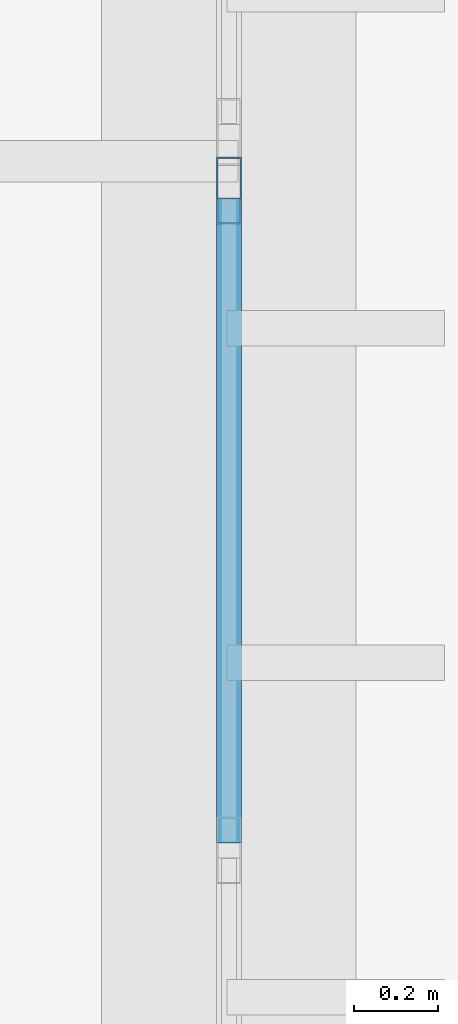
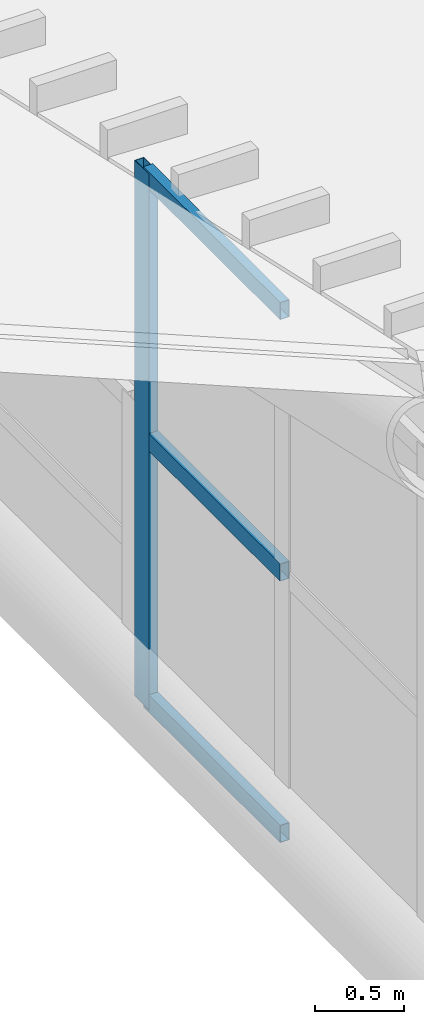
# One storey, part 346 of 397: 4 members, 1 element without a shape of its own.
"""IFC4 building model written with IfcOpenShell, lengths in metres."""

from ifc_helpers import new_model, si_unit, direction, frame, origin, origin_2d, place, context, subcontext, project, spatial, hollow_rectangle, extrude, material, material_profile, profile_set, type_object, element, aggregate, save


model = new_model("IFC4")

# Units and contexts
model_context = context("Model", 3, precision=1e-05, world=origin(), true_north=direction((0.0, 1.0)))
body_context = subcontext(model_context, "Body", "Model", "MODEL_VIEW")
ifc_project = project(units=[si_unit("LENGTHUNIT", "METRE"), si_unit("AREAUNIT", "SQUARE_METRE"), si_unit("VOLUMEUNIT", "CUBIC_METRE"), si_unit("PLANEANGLEUNIT", "RADIAN"), si_unit("MASSUNIT", "GRAM", prefix="KILO")], contexts=[model_context])

# Site, building, storey
site_placement = place(None, origin())
site = spatial("IfcSite", under=ifc_project, at=site_placement, CompositionType="ELEMENT")
building_placement = place(site_placement, origin())
building = spatial("IfcBuilding", under=site, at=building_placement, Name="Qandorah Velis Arena", CompositionType="ELEMENT")
storey_placement = place(building_placement, frame((0.0, 0.0, 27.5)))
storey = spatial("IfcBuildingStorey", under=building, at=storey_placement, Name="RF", CompositionType="ELEMENT", Elevation=27.5)

# Curtain wall, members
ifc_material_1 = material(Name="Solar-control low-E double glazing", Category="glass")
curtain_wall_type = type_object("IfcCurtainWallType", Name="ARC-CW-SYS16", PredefinedType="USERDEFINED", material=ifc_material_1)
curtain_wall_placement = place(storey_placement, origin())
curtain_wall = element("IfcCurtainWall", 1, at=curtain_wall_placement, inside=storey, type_object=curtain_wall_type, Name="Unitised curtain wall CROWN-2-08S1", ObjectType="UNITISED CURTAIN WALL", PredefinedType="USERDEFINED")
ifc_material_2 = material(Name="Champagne-bronze anodized aluminium 6063-T6", Category="aluminium")
ifc_material_profile_1 = material_profile(ifc_material_2, hollow_rectangle(XDim=0.06005859375, YDim=0.159912109375, WallThickness=0.00341796875, at=origin_2d()), Name="ALU MULLION 60x160")
ifc_profile_set_1 = profile_set([ifc_material_profile_1], Name="Champagne-bronze anodized aluminium 6063-T6")
member_type_1 = type_object("IfcMemberType", Name="ARC-CWM-160", PredefinedType="MULLION", material=ifc_profile_set_1)
member_1_placement = place(storey_placement, frame((115.199951171875, 107.929931640625, -0.014892578125), z_axis=(0.0, 0.0, 1.0), x_axis=(-1.0, 0.0, 0.0)))
member_1 = element("IfcMember", 2, at=member_1_placement, type_object=member_type_1, Name="CW16 mullion 5", PredefinedType="MULLION", context=body_context, shape_type="SweptSolid", body=[
    extrude(hollow_rectangle(XDim=0.06005859375, YDim=0.159912109375, WallThickness=0.00341796875, at=origin_2d()), origin(), (0.0, 0.0, 1.0), 3.6904296875),
])
ifc_material_profile_2 = material_profile(ifc_material_2, hollow_rectangle(XDim=0.06005859375, YDim=0.1201171875, WallThickness=0.0029296875, at=origin_2d()), Name="ALU TRANSOM 60x120")
ifc_profile_set_2 = profile_set([ifc_material_profile_2], Name="Champagne-bronze anodized aluminium 6063-T6")
member_type_2 = type_object("IfcMemberType", Name="ARC-CWT-120", PredefinedType="USERDEFINED", material=ifc_profile_set_2)
member_2_placement = place(storey_placement, frame((115.199951171875, 106.369140625, 0.030029296875), z_axis=(0.0, 1.0, 0.0), x_axis=(-1.0, 0.0, 0.0)))
member_2 = element("IfcMember", 3, at=member_2_placement, type_object=member_type_2, Name="CW16 transom 4.1", ObjectType="TRANSOM", PredefinedType="USERDEFINED", context=body_context, shape_type="SweptSolid", body=[
    extrude(hollow_rectangle(XDim=0.06005859375, YDim=0.1201171875, WallThickness=0.0029296875, at=origin_2d()), origin(), (0.0, 0.0, 1.0), 1.54296875),
])
member_3_placement = place(storey_placement, frame((115.199951171875, 106.369140625, 1.830078125), z_axis=(0.0, 1.0, 0.0), x_axis=(-1.0, 0.0, 0.0)))
member_3 = element("IfcMember", 4, at=member_3_placement, type_object=member_type_2, Name="CW16 transom 4.2", ObjectType="TRANSOM", PredefinedType="USERDEFINED", context=body_context, shape_type="SweptSolid", body=[
    extrude(hollow_rectangle(XDim=0.06005859375, YDim=0.1201171875, WallThickness=0.0029296875, at=origin_2d()), origin(), (0.0, 0.0, 1.0), 1.54296875),
])
member_4_placement = place(storey_placement, frame((115.199951171875, 106.369140625, 3.630615234375), z_axis=(0.0, 1.0, 0.0), x_axis=(-1.0, 0.0, 0.0)))
member_4 = element("IfcMember", 5, at=member_4_placement, type_object=member_type_2, Name="CW16 transom 4.3", ObjectType="TRANSOM", PredefinedType="USERDEFINED", context=body_context, shape_type="SweptSolid", body=[
    extrude(hollow_rectangle(XDim=0.06005859375, YDim=0.1201171875, WallThickness=0.0029296875, at=origin_2d()), origin(), (0.0, 0.0, 1.0), 1.54296875),
])
aggregate(curtain_wall, [member_1, member_2, member_3, member_4])

save(model, "model.ifc")
